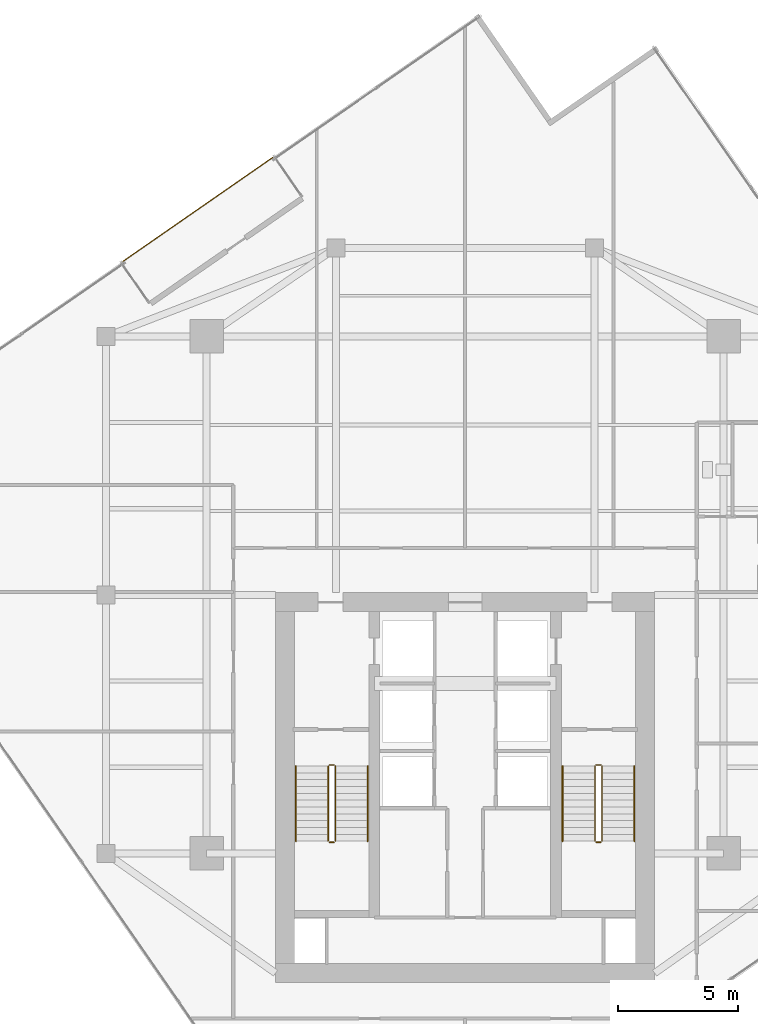
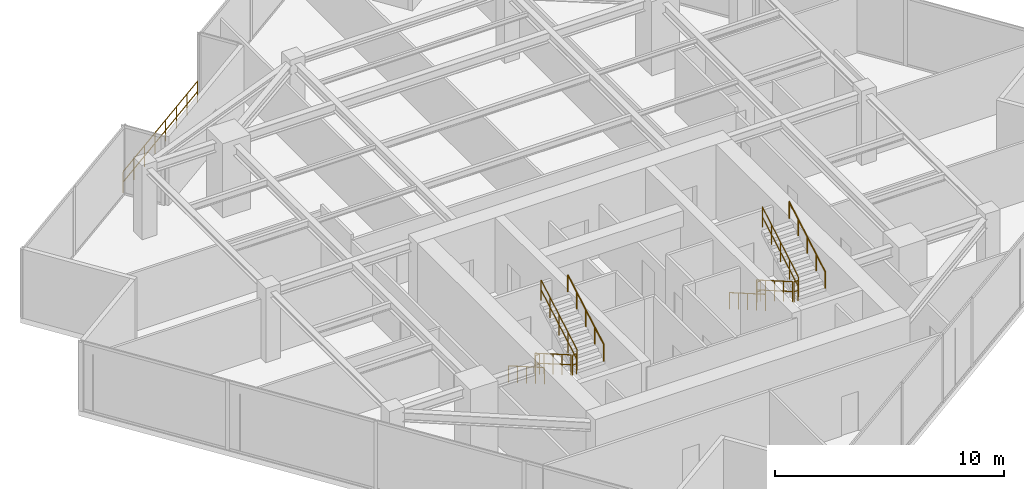
# One storey, part 20 of 21: 13 railings.
"""IFC4 building model written with IfcOpenShell, lengths in metres."""

import ifcopenshell
import ifcopenshell.guid

model = None  # the IFC model being written
_history = None  # IfcOwnerHistory: only IFC2X3 demands one
_inside = {}  # id of a spatial element -> (the spatial element, [elements in it])
_under = {}  # id of a project, library or spatial element -> (it, [spatial elements below it])
_declared = {}  # id of a project -> (the project, [libraries it declares])
_typed = {}  # id of a type object -> (the type object, [elements of that type])
_made_of = {}  # id of a material, layer set ... -> (it, [elements and type objects made of it])


def new_model(schema):
    """Start an empty IFC model of exactly this schema.

    Asked for "IFC4X3", IfcOpenShell would pick the latest addendum, in which some entities
    have other attributes; the version numbers below select the first issue.
    IFC2X3 requires an IfcOwnerHistory on every rooted entity: one is made here for all.
    """
    global model, _history
    if schema == "IFC4X3":
        model = ifcopenshell.file(schema_version=(4, 3, 0, 0))
    else:
        model = ifcopenshell.file(schema=schema)
    _inside.clear()
    _under.clear()
    _declared.clear()
    _typed.clear()
    _made_of.clear()
    _history = None
    if model.schema == "IFC2X3":
        org = make("IfcOrganization", Name="unknown")
        user = make(
            "IfcPersonAndOrganization",
            ThePerson=make("IfcPerson", FamilyName="unknown"),
            TheOrganization=org,
        )
        app = make(
            "IfcApplication",
            ApplicationDeveloper=org,
            Version="unknown",
            ApplicationFullName="unknown",
            ApplicationIdentifier="unknown",
        )
        _history = make(
            "IfcOwnerHistory",
            OwningUser=user,
            OwningApplication=app,
            ChangeAction="ADDED",
            CreationDate=0,
        )
    return model


def make(cls, **values):
    """One entity of the class cls with the attributes given. An attribute that is None is left unset."""
    return model.create_entity(
        cls, **{name: value for name, value in values.items() if value is not None}
    )


def rooted(cls, **values):
    """An entity with a GlobalId (a new one), such as an element, a storey or a relation."""
    return make(cls, GlobalId=ifcopenshell.guid.new(), OwnerHistory=_history, **values)


def si_unit(unit_type, name, prefix=None):
    """IfcSIUnit, for example si_unit("LENGTHUNIT", "METRE", prefix="MILLI")."""
    return make("IfcSIUnit", UnitType=unit_type, Prefix=prefix, Name=name)


def assignment(units):
    """IfcUnitAssignment: the units of a project."""
    return None if units is None else make("IfcUnitAssignment", Units=units)


def point(xyz):
    """IfcCartesianPoint."""
    return None if xyz is None else make("IfcCartesianPoint", Coordinates=xyz)


def direction(xyz):
    """IfcDirection."""
    return None if xyz is None else make("IfcDirection", DirectionRatios=xyz)


def frame(location, z_axis=None, x_axis=None):
    """IfcAxis2Placement3D, a coordinate frame: its origin and axes. An axis left out is left unset."""
    return make(
        "IfcAxis2Placement3D",
        Location=point(location),
        Axis=direction(z_axis),
        RefDirection=direction(x_axis),
    )


def frame_2d(location, x_axis=None):
    """IfcAxis2Placement2D, a coordinate frame in the plane: its origin and x axis."""
    return make(
        "IfcAxis2Placement2D", Location=point(location), RefDirection=direction(x_axis)
    )


def origin():
    """The frame at (0, 0, 0) with its axes left unset."""
    return frame((0.0, 0.0, 0.0))


def origin_2d():
    """The frame at (0, 0) in the plane with its x axis left unset."""
    return frame_2d((0.0, 0.0))


def place(relative_to, where):
    """IfcLocalPlacement: puts the frame where relative to a parent placement (None: the world)."""
    return make(
        "IfcLocalPlacement", PlacementRelTo=relative_to, RelativePlacement=where
    )


def context(
    kind, dimensions, precision=None, world=None, true_north=None, identifier=None
):
    """IfcGeometricRepresentationContext, for example the 3D "Model" context."""
    return make(
        "IfcGeometricRepresentationContext",
        ContextIdentifier=identifier,
        ContextType=kind,
        CoordinateSpaceDimension=dimensions,
        Precision=precision,
        WorldCoordinateSystem=world,
        TrueNorth=true_north,
    )


def subcontext(parent, identifier, kind, view, scale=None):
    """IfcGeometricRepresentationSubContext, for example "Body" below "Model"."""
    return make(
        "IfcGeometricRepresentationSubContext",
        ContextIdentifier=identifier,
        ContextType=kind,
        ParentContext=parent,
        TargetScale=scale,
        TargetView=view,
    )


def project(units=None, contexts=None):
    """IfcProject with its units and contexts."""
    return rooted(
        "IfcProject",
        Name="project",
        RepresentationContexts=contexts,
        UnitsInContext=assignment(units),
    )


def spatial(cls, under=None, at=None, **own):
    """A site, building, storey or space (cls), placed at a placement, below another one or the project."""
    s = rooted(cls, ObjectPlacement=at, **own)
    if under is not None:
        _under.setdefault(under.id(), (under, []))[1].append(s)
    return s


def profile(cls, at=None, kind="AREA", **sizes):
    """A parametric profile (cls). Its sizes go by their IFC names, for example OverallWidth=200.0."""
    return make(cls, ProfileType=kind, Position=at, **sizes)


def circle(**sizes):
    """IfcCircleProfileDef."""
    return profile("IfcCircleProfileDef", **sizes)


def extrude(swept, where, along, depth):
    """IfcExtrudedAreaSolid: the profile swept, set in the frame where, extruded along a direction by depth."""
    return make(
        "IfcExtrudedAreaSolid",
        SweptArea=swept,
        Position=where,
        ExtrudedDirection=direction(along),
        Depth=depth,
    )


def shape(context_of_items, identifier, shape_type, items):
    """IfcShapeRepresentation: the items that make up one representation, for example the "Body"."""
    return make(
        "IfcShapeRepresentation",
        ContextOfItems=context_of_items,
        RepresentationIdentifier=identifier,
        RepresentationType=shape_type,
        Items=items,
    )


def material(Name=None, Category=None):
    """IfcMaterial."""
    return make("IfcMaterial", Name=Name, Category=Category)


def layer(
    of_material, thickness, ventilated=None, Name=None, Category=None, Priority=None
):
    """IfcMaterialLayer: one layer of a wall or slab, of a material (None: an air gap)."""
    return make(
        "IfcMaterialLayer",
        Material=of_material,
        LayerThickness=thickness,
        IsVentilated=ventilated,
        Name=Name,
        Category=Category,
        Priority=Priority,
    )


def layer_set(layers, Name=None):
    """IfcMaterialLayerSet."""
    return make("IfcMaterialLayerSet", MaterialLayers=layers, LayerSetName=Name)


def made_of(thing, what):
    """Note that an element or type object is made of a material, layer set ...; save() writes the relation."""
    if what is not None:
        _made_of.setdefault(what.id(), (what, []))[1].append(thing)
    return thing


def type_object(cls, material=None, **own):
    """A type object (cls), such as IfcWallType, which elements share."""
    return made_of(rooted(cls, **own), material)


def element(
    cls,
    number,
    at=None,
    inside=None,
    cuts=None,
    type_object=None,
    material=None,
    context=None,
    identifier="Body",
    shape_type=None,
    held_by="IfcProductDefinitionShape",
    body=None,
    shapes=None,
    **own,
):
    """One element of the class cls, such as IfcWall. Its Tag is "e" and its number.

    at: its placement. inside: the storey or other place that contains it. cuts: it is an
    opening in that element (IfcRelVoidsElement). A single representation is given by context,
    identifier, shape_type and body (its items); several are given by shapes. held_by: the class
    of the entity that holds the representations. save() writes the other relations.
    """
    e = rooted(cls, Tag="e%d" % number, ObjectPlacement=at, **own)
    if body is not None:
        shapes = [shape(context, identifier, shape_type, body)]
    if shapes is not None:
        e.Representation = make(held_by, Representations=shapes)
    if inside is not None:
        _inside.setdefault(inside.id(), (inside, []))[1].append(e)
    if cuts is not None:
        rooted(
            "IfcRelVoidsElement", RelatingBuildingElement=cuts, RelatedOpeningElement=e
        )
    if type_object is not None:
        _typed.setdefault(type_object.id(), (type_object, []))[1].append(e)
    return made_of(e, material)


def aggregate(whole, parts):
    """IfcRelAggregates: a whole, such as a stair, and the parts it consists of."""
    return rooted("IfcRelAggregates", RelatingObject=whole, RelatedObjects=parts)


def save(model, path):
    """Write the relations noted so far, then the file.

    IfcRelAggregates (storeys below a building ...), IfcRelContainedInSpatialStructure (elements
    in a storey), IfcRelDefinesByType, IfcRelAssociatesMaterial and IfcRelDeclares: one each for
    every whole, place, type object, material and project.
    """
    for whole, parts in _under.values():
        aggregate(whole, parts)
    for where, things in _inside.values():
        rooted(
            "IfcRelContainedInSpatialStructure",
            RelatedElements=things,
            RelatingStructure=where,
        )
    for kind, things in _typed.values():
        rooted("IfcRelDefinesByType", RelatedObjects=things, RelatingType=kind)
    for what, things in _made_of.values():
        rooted("IfcRelAssociatesMaterial", RelatedObjects=things, RelatingMaterial=what)
    for by, libraries in _declared.values():
        rooted("IfcRelDeclares", RelatingContext=by, RelatedDefinitions=libraries)
    model.write(path)


model = new_model("IFC4")

# Units and contexts
model_context = context("Model", 3, precision=1e-05, world=origin(), true_north=direction((0.0, 1.0)))
body_context = subcontext(model_context, "Body", "Model", "MODEL_VIEW")
ifc_project = project(units=[si_unit("LENGTHUNIT", "METRE"), si_unit("AREAUNIT", "SQUARE_METRE"), si_unit("VOLUMEUNIT", "CUBIC_METRE"), si_unit("PLANEANGLEUNIT", "RADIAN"), si_unit("MASSUNIT", "GRAM", prefix="KILO")], contexts=[model_context])

# Site, building, storey
site_placement = place(None, origin())
site = spatial("IfcSite", under=ifc_project, at=site_placement, CompositionType="ELEMENT")
building_placement = place(site_placement, origin())
building = spatial("IfcBuilding", under=site, at=building_placement, Name="Krantzveldt Concourse Tower", CompositionType="ELEMENT")
storey_placement = place(building_placement, frame((0.0, 0.0, 275.300048828125)))
storey = spatial("IfcBuildingStorey", under=building, at=storey_placement, Name="L67", CompositionType="ELEMENT", Elevation=275.300048828125)

# Railings
ifc_material = material(Name="Stainless steel 316L", Category="steel")
ifc_layer_1 = layer(ifc_material, 0.080078125, Name="Stainless steel 316L", Category="steel")
ifc_layer_set_1 = layer_set([ifc_layer_1], Name="Stainless steel 316L (RL-BALUSTRADE-1150)")
railing_type_1 = type_object("IfcRailingType", Name="RL-BALUSTRADE-1150", PredefinedType="BALUSTRADE", material=ifc_layer_set_1)
railing_1_placement = place(storey_placement, frame((27.950439453125, 44.97021484375, 0.0)))
element("IfcRailing", 1, at=railing_1_placement, inside=storey, type_object=railing_type_1, Name="GD-L67-CTER-01", PredefinedType="BALUSTRADE", context=body_context, shape_type="SweptSolid", body=[
    extrude(circle(Radius=0.02392578125, at=origin_2d()), frame((0.0, 0.0, 1.1259765625), z_axis=(-0.821648291551, -0.569994811372, 0.0), x_axis=(0.569994811372, -0.821648291551, 0.0)), (0.0, 0.0, 1.0), 7.60009765625),
    extrude(circle(Radius=0.02392578125, at=origin_2d()), frame((0.0, 0.0, 0.574951171875), z_axis=(-0.821648291551, -0.569994811372, 0.0), x_axis=(0.569994811372, -0.821648291551, 0.0)), (0.0, 0.0, 1.0), 7.60009765625),
    extrude(circle(Radius=0.02099609375, at=origin_2d()), origin(), (0.0, 0.0, 1.0), 1.101806640625),
    extrude(circle(Radius=0.02099609375, at=origin_2d()), frame((-0.89208984375, -0.618896484375, 0.0)), (0.0, 0.0, 1.0), 1.101806640625),
    extrude(circle(Radius=0.02099609375, at=origin_2d()), frame((-1.7841796875, -1.23779296875, 0.0)), (0.0, 0.0, 1.0), 1.101806640625),
    extrude(circle(Radius=0.02099609375, at=origin_2d()), frame((-2.67626953125, -1.856689453125, 0.0)), (0.0, 0.0, 1.0), 1.101806640625),
    extrude(circle(Radius=0.02099609375, at=origin_2d()), frame((-3.568359375, -2.475341796875, 0.0)), (0.0, 0.0, 1.0), 1.101806640625),
    extrude(circle(Radius=0.02099609375, at=origin_2d()), frame((-4.46044921875, -3.09423828125, 0.0)), (0.0, 0.0, 1.0), 1.101806640625),
    extrude(circle(Radius=0.02099609375, at=origin_2d()), frame((-5.3525390625, -3.713134765625, 0.0)), (0.0, 0.0, 1.0), 1.101806640625),
    extrude(circle(Radius=0.02099609375, at=origin_2d()), frame((-6.24462890625, -4.33203125, 0.0)), (0.0, 0.0, 1.0), 1.101806640625),
])
ifc_layer_2 = layer(ifc_material, 0.06005859375, Name="Stainless steel 316L", Category="steel")
ifc_layer_set_2 = layer_set([ifc_layer_2], Name="Stainless steel 316L (RL-GUARD-1120)")
railing_type_2 = type_object("IfcRailingType", Name="RL-GUARD-1120", PredefinedType="GUARDRAIL", material=ifc_layer_set_2)
railing_2_placement = place(storey_placement, frame((30.280029296875, 19.550048828125, 0.16455078125)))
element("IfcRailing", 2, at=railing_2_placement, inside=storey, type_object=railing_type_2, Name="L67 ST-1 stair guard 1", PredefinedType="GUARDRAIL", context=body_context, shape_type="SweptSolid", body=[
    extrude(circle(Radius=0.02392578125, at=origin_2d()), frame((0.0, 0.0, 1.076171875), z_axis=(0.0, -0.865989039225, 0.500062979975), x_axis=(1.0, 0.0, 0.0)), (0.0, 0.0, 1.0), 3.6201171875),
    extrude(circle(Radius=0.02392578125, at=origin_2d()), frame((0.0, 0.0, 0.550048828125), z_axis=(0.0, -0.865989039225, 0.500062979975), x_axis=(1.0, 0.0, 0.0)), (0.0, 0.0, 1.0), 3.6201171875),
    extrude(circle(Radius=0.02099609375, at=origin_2d()), origin(), (0.0, 0.0, 1.0), 1.052001953125),
    extrude(circle(Radius=0.02099609375, at=origin_2d()), frame((0.0, -0.78369140625, 0.45263671875)), (0.0, 0.0, 1.0), 1.052001953125),
    extrude(circle(Radius=0.02099609375, at=origin_2d()), frame((0.0, -1.5673828125, 0.9052734375)), (0.0, 0.0, 1.0), 1.052001953125),
    extrude(circle(Radius=0.02099609375, at=origin_2d()), frame((0.0, -2.351318359375, 1.357666015625)), (0.0, 0.0, 1.0), 1.052001953125),
    extrude(circle(Radius=0.02099609375, at=origin_2d()), frame((0.0, -3.135009765625, 1.810302734375)), (0.0, 0.0, 1.0), 1.052001953125),
])
railing_3_placement = place(storey_placement, frame((30.330078125, 16.364990234375, 1.974853515625)))
element("IfcRailing", 3, at=railing_3_placement, inside=storey, type_object=railing_type_2, Name="L67 ST-1 stair guard 2", PredefinedType="GUARDRAIL", context=body_context, shape_type="SweptSolid", body=[
    extrude(circle(Radius=0.02392578125, at=origin_2d()), frame((0.0, 0.0, 1.076171875), z_axis=(1.0, 0.0, 0.0), x_axis=(0.0, 1.0, 0.0)), (0.0, 0.0, 1.0), 0.199951171875),
    extrude(circle(Radius=0.02392578125, at=origin_2d()), frame((0.0, 0.0, 0.550048828125), z_axis=(1.0, 0.0, 0.0), x_axis=(0.0, 1.0, 0.0)), (0.0, 0.0, 1.0), 0.199951171875),
    extrude(circle(Radius=0.02099609375, at=origin_2d()), origin(), (0.0, 0.0, 1.0), 1.052001953125),
    extrude(circle(Radius=0.02099609375, at=origin_2d()), frame((0.199951171875, 0.0, 0.0)), (0.0, 0.0, 1.0), 1.052001953125),
])
railing_4_placement = place(storey_placement, frame((30.580078125, 16.4150390625, 2.1396484375)))
element("IfcRailing", 4, at=railing_4_placement, inside=storey, type_object=railing_type_2, Name="L67 ST-1 stair guard 3", PredefinedType="GUARDRAIL", context=body_context, shape_type="SweptSolid", body=[
    extrude(circle(Radius=0.02392578125, at=origin_2d()), frame((0.0, 0.0, 1.076171875), z_axis=(0.0, 0.865989039225, 0.500062979975), x_axis=(-1.0, 0.0, 0.0)), (0.0, 0.0, 1.0), 3.6201171875),
    extrude(circle(Radius=0.02392578125, at=origin_2d()), frame((0.0, 0.0, 0.550048828125), z_axis=(0.0, 0.865989039225, 0.500062979975), x_axis=(-1.0, 0.0, 0.0)), (0.0, 0.0, 1.0), 3.6201171875),
    extrude(circle(Radius=0.02099609375, at=origin_2d()), origin(), (0.0, 0.0, 1.0), 1.052001953125),
    extrude(circle(Radius=0.02099609375, at=origin_2d()), frame((0.0, 0.78369140625, 0.45263671875)), (0.0, 0.0, 1.0), 1.052001953125),
    extrude(circle(Radius=0.02099609375, at=origin_2d()), frame((0.0, 1.5673828125, 0.9052734375)), (0.0, 0.0, 1.0), 1.052001953125),
    extrude(circle(Radius=0.02099609375, at=origin_2d()), frame((0.0, 2.351318359375, 1.357666015625)), (0.0, 0.0, 1.0), 1.052001953125),
    extrude(circle(Radius=0.02099609375, at=origin_2d()), frame((0.0, 3.135009765625, 1.810302734375)), (0.0, 0.0, 1.0), 1.052001953125),
])
railing_5_placement = place(storey_placement, frame((30.330078125, 19.60009765625, 0.0)))
element("IfcRailing", 5, at=railing_5_placement, inside=storey, type_object=railing_type_2, Name="L67 ST-1 stair guard 4", PredefinedType="GUARDRAIL", context=body_context, shape_type="SweptSolid", body=[
    extrude(circle(Radius=0.02392578125, at=origin_2d()), frame((0.0, 0.0, 1.076171875), z_axis=(1.0, 0.0, 0.0), x_axis=(0.0, 1.0, 0.0)), (0.0, 0.0, 1.0), 0.199951171875),
    extrude(circle(Radius=0.02392578125, at=origin_2d()), frame((0.0, 0.0, 0.550048828125), z_axis=(1.0, 0.0, 0.0), x_axis=(0.0, 1.0, 0.0)), (0.0, 0.0, 1.0), 0.199951171875),
    extrude(circle(Radius=0.02099609375, at=origin_2d()), origin(), (0.0, 0.0, 1.0), 1.052001953125),
    extrude(circle(Radius=0.02099609375, at=origin_2d()), frame((0.199951171875, 0.0, 0.0)), (0.0, 0.0, 1.0), 1.052001953125),
])
railing_6_placement = place(storey_placement, frame((41.419921875, 19.550048828125, 0.16455078125)))
element("IfcRailing", 6, at=railing_6_placement, inside=storey, type_object=railing_type_2, Name="L67 ST-2 stair guard 1", PredefinedType="GUARDRAIL", context=body_context, shape_type="SweptSolid", body=[
    extrude(circle(Radius=0.02392578125, at=origin_2d()), frame((0.0, 0.0, 1.076171875), z_axis=(0.0, -0.865989039225, 0.500062979975), x_axis=(1.0, 0.0, 0.0)), (0.0, 0.0, 1.0), 3.6201171875),
    extrude(circle(Radius=0.02392578125, at=origin_2d()), frame((0.0, 0.0, 0.550048828125), z_axis=(0.0, -0.865989039225, 0.500062979975), x_axis=(1.0, 0.0, 0.0)), (0.0, 0.0, 1.0), 3.6201171875),
    extrude(circle(Radius=0.02099609375, at=origin_2d()), origin(), (0.0, 0.0, 1.0), 1.052001953125),
    extrude(circle(Radius=0.02099609375, at=origin_2d()), frame((0.0, -0.78369140625, 0.45263671875)), (0.0, 0.0, 1.0), 1.052001953125),
    extrude(circle(Radius=0.02099609375, at=origin_2d()), frame((0.0, -1.5673828125, 0.9052734375)), (0.0, 0.0, 1.0), 1.052001953125),
    extrude(circle(Radius=0.02099609375, at=origin_2d()), frame((0.0, -2.351318359375, 1.357666015625)), (0.0, 0.0, 1.0), 1.052001953125),
    extrude(circle(Radius=0.02099609375, at=origin_2d()), frame((0.0, -3.135009765625, 1.810302734375)), (0.0, 0.0, 1.0), 1.052001953125),
])
railing_7_placement = place(storey_placement, frame((41.469970703125, 16.364990234375, 1.974853515625)))
element("IfcRailing", 7, at=railing_7_placement, inside=storey, type_object=railing_type_2, Name="L67 ST-2 stair guard 2", PredefinedType="GUARDRAIL", context=body_context, shape_type="SweptSolid", body=[
    extrude(circle(Radius=0.02392578125, at=origin_2d()), frame((0.0, 0.0, 1.076171875), z_axis=(1.0, 0.0, 0.0), x_axis=(0.0, 1.0, 0.0)), (0.0, 0.0, 1.0), 0.199951171875),
    extrude(circle(Radius=0.02392578125, at=origin_2d()), frame((0.0, 0.0, 0.550048828125), z_axis=(1.0, 0.0, 0.0), x_axis=(0.0, 1.0, 0.0)), (0.0, 0.0, 1.0), 0.199951171875),
    extrude(circle(Radius=0.02099609375, at=origin_2d()), origin(), (0.0, 0.0, 1.0), 1.052001953125),
    extrude(circle(Radius=0.02099609375, at=origin_2d()), frame((0.199951171875, 0.0, 0.0)), (0.0, 0.0, 1.0), 1.052001953125),
])
railing_8_placement = place(storey_placement, frame((41.719970703125, 16.4150390625, 2.1396484375)))
element("IfcRailing", 8, at=railing_8_placement, inside=storey, type_object=railing_type_2, Name="L67 ST-2 stair guard 3", PredefinedType="GUARDRAIL", context=body_context, shape_type="SweptSolid", body=[
    extrude(circle(Radius=0.02392578125, at=origin_2d()), frame((0.0, 0.0, 1.076171875), z_axis=(0.0, 0.865989039225, 0.500062979975), x_axis=(-1.0, 0.0, 0.0)), (0.0, 0.0, 1.0), 3.6201171875),
    extrude(circle(Radius=0.02392578125, at=origin_2d()), frame((0.0, 0.0, 0.550048828125), z_axis=(0.0, 0.865989039225, 0.500062979975), x_axis=(-1.0, 0.0, 0.0)), (0.0, 0.0, 1.0), 3.6201171875),
    extrude(circle(Radius=0.02099609375, at=origin_2d()), origin(), (0.0, 0.0, 1.0), 1.052001953125),
    extrude(circle(Radius=0.02099609375, at=origin_2d()), frame((0.0, 0.78369140625, 0.45263671875)), (0.0, 0.0, 1.0), 1.052001953125),
    extrude(circle(Radius=0.02099609375, at=origin_2d()), frame((0.0, 1.5673828125, 0.9052734375)), (0.0, 0.0, 1.0), 1.052001953125),
    extrude(circle(Radius=0.02099609375, at=origin_2d()), frame((0.0, 2.351318359375, 1.357666015625)), (0.0, 0.0, 1.0), 1.052001953125),
    extrude(circle(Radius=0.02099609375, at=origin_2d()), frame((0.0, 3.135009765625, 1.810302734375)), (0.0, 0.0, 1.0), 1.052001953125),
])
railing_9_placement = place(storey_placement, frame((41.469970703125, 19.60009765625, 0.0)))
element("IfcRailing", 9, at=railing_9_placement, inside=storey, type_object=railing_type_2, Name="L67 ST-2 stair guard 4", PredefinedType="GUARDRAIL", context=body_context, shape_type="SweptSolid", body=[
    extrude(circle(Radius=0.02392578125, at=origin_2d()), frame((0.0, 0.0, 1.076171875), z_axis=(1.0, 0.0, 0.0), x_axis=(0.0, 1.0, 0.0)), (0.0, 0.0, 1.0), 0.199951171875),
    extrude(circle(Radius=0.02392578125, at=origin_2d()), frame((0.0, 0.0, 0.550048828125), z_axis=(1.0, 0.0, 0.0), x_axis=(0.0, 1.0, 0.0)), (0.0, 0.0, 1.0), 0.199951171875),
    extrude(circle(Radius=0.02099609375, at=origin_2d()), origin(), (0.0, 0.0, 1.0), 1.052001953125),
    extrude(circle(Radius=0.02099609375, at=origin_2d()), frame((0.199951171875, 0.0, 0.0)), (0.0, 0.0, 1.0), 1.052001953125),
])
ifc_layer_3 = layer(ifc_material, 0.050048828125, Name="Stainless steel 316L", Category="steel")
ifc_layer_set_3 = layer_set([ifc_layer_3], Name="Stainless steel 316L (RL-HANDRAIL-920)")
railing_type_3 = type_object("IfcRailingType", Name="RL-HANDRAIL-920", PredefinedType="HANDRAIL", material=ifc_layer_set_3)
railing_10_placement = place(storey_placement, frame((28.929931640625, 19.550048828125, 0.16455078125)))
element("IfcRailing", 10, at=railing_10_placement, inside=storey, type_object=railing_type_3, Name="L67 ST-1 stair handrail 1", PredefinedType="HANDRAIL", context=body_context, shape_type="SweptSolid", body=[
    extrude(circle(Radius=0.02392578125, at=origin_2d()), frame((0.0, 0.0, 0.8759765625), z_axis=(0.0, -0.865989039225, 0.500062979975), x_axis=(1.0, 0.0, 0.0)), (0.0, 0.0, 1.0), 3.6201171875),
    extrude(circle(Radius=0.02099609375, at=origin_2d()), origin(), (0.0, 0.0, 1.0), 0.851806640625),
    extrude(circle(Radius=0.02099609375, at=origin_2d()), frame((0.0, -0.78369140625, 0.45263671875)), (0.0, 0.0, 1.0), 0.851806640625),
    extrude(circle(Radius=0.02099609375, at=origin_2d()), frame((0.0, -1.5673828125, 0.9052734375)), (0.0, 0.0, 1.0), 0.851806640625),
    extrude(circle(Radius=0.02099609375, at=origin_2d()), frame((0.0, -2.351318359375, 1.357666015625)), (0.0, 0.0, 1.0), 0.851806640625),
    extrude(circle(Radius=0.02099609375, at=origin_2d()), frame((0.0, -3.135009765625, 1.810302734375)), (0.0, 0.0, 1.0), 0.851806640625),
])
railing_11_placement = place(storey_placement, frame((31.929931640625, 16.4150390625, 2.1396484375)))
element("IfcRailing", 11, at=railing_11_placement, inside=storey, type_object=railing_type_3, Name="L67 ST-1 stair handrail 2", PredefinedType="HANDRAIL", context=body_context, shape_type="SweptSolid", body=[
    extrude(circle(Radius=0.02392578125, at=origin_2d()), frame((0.0, 0.0, 0.8759765625), z_axis=(0.0, 0.865989039225, 0.500062979975), x_axis=(-1.0, 0.0, 0.0)), (0.0, 0.0, 1.0), 3.6201171875),
    extrude(circle(Radius=0.02099609375, at=origin_2d()), origin(), (0.0, 0.0, 1.0), 0.851806640625),
    extrude(circle(Radius=0.02099609375, at=origin_2d()), frame((0.0, 0.78369140625, 0.45263671875)), (0.0, 0.0, 1.0), 0.851806640625),
    extrude(circle(Radius=0.02099609375, at=origin_2d()), frame((0.0, 1.5673828125, 0.9052734375)), (0.0, 0.0, 1.0), 0.851806640625),
    extrude(circle(Radius=0.02099609375, at=origin_2d()), frame((0.0, 2.351318359375, 1.357666015625)), (0.0, 0.0, 1.0), 0.851806640625),
    extrude(circle(Radius=0.02099609375, at=origin_2d()), frame((0.0, 3.135009765625, 1.810302734375)), (0.0, 0.0, 1.0), 0.851806640625),
])
railing_12_placement = place(storey_placement, frame((40.070068359375, 19.550048828125, 0.16455078125)))
element("IfcRailing", 12, at=railing_12_placement, inside=storey, type_object=railing_type_3, Name="L67 ST-2 stair handrail 1", PredefinedType="HANDRAIL", context=body_context, shape_type="SweptSolid", body=[
    extrude(circle(Radius=0.02392578125, at=origin_2d()), frame((0.0, 0.0, 0.8759765625), z_axis=(0.0, -0.865989039225, 0.500062979975), x_axis=(1.0, 0.0, 0.0)), (0.0, 0.0, 1.0), 3.6201171875),
    extrude(circle(Radius=0.02099609375, at=origin_2d()), origin(), (0.0, 0.0, 1.0), 0.851806640625),
    extrude(circle(Radius=0.02099609375, at=origin_2d()), frame((0.0, -0.78369140625, 0.45263671875)), (0.0, 0.0, 1.0), 0.851806640625),
    extrude(circle(Radius=0.02099609375, at=origin_2d()), frame((0.0, -1.5673828125, 0.9052734375)), (0.0, 0.0, 1.0), 0.851806640625),
    extrude(circle(Radius=0.02099609375, at=origin_2d()), frame((0.0, -2.351318359375, 1.357666015625)), (0.0, 0.0, 1.0), 0.851806640625),
    extrude(circle(Radius=0.02099609375, at=origin_2d()), frame((0.0, -3.135009765625, 1.810302734375)), (0.0, 0.0, 1.0), 0.851806640625),
])
railing_13_placement = place(storey_placement, frame((43.070068359375, 16.4150390625, 2.1396484375)))
element("IfcRailing", 13, at=railing_13_placement, inside=storey, type_object=railing_type_3, Name="L67 ST-2 stair handrail 2", PredefinedType="HANDRAIL", context=body_context, shape_type="SweptSolid", body=[
    extrude(circle(Radius=0.02392578125, at=origin_2d()), frame((0.0, 0.0, 0.8759765625), z_axis=(0.0, 0.865989039225, 0.500062979975), x_axis=(-1.0, 0.0, 0.0)), (0.0, 0.0, 1.0), 3.6201171875),
    extrude(circle(Radius=0.02099609375, at=origin_2d()), origin(), (0.0, 0.0, 1.0), 0.851806640625),
    extrude(circle(Radius=0.02099609375, at=origin_2d()), frame((0.0, 0.78369140625, 0.45263671875)), (0.0, 0.0, 1.0), 0.851806640625),
    extrude(circle(Radius=0.02099609375, at=origin_2d()), frame((0.0, 1.5673828125, 0.9052734375)), (0.0, 0.0, 1.0), 0.851806640625),
    extrude(circle(Radius=0.02099609375, at=origin_2d()), frame((0.0, 2.351318359375, 1.357666015625)), (0.0, 0.0, 1.0), 0.851806640625),
    extrude(circle(Radius=0.02099609375, at=origin_2d()), frame((0.0, 3.135009765625, 1.810302734375)), (0.0, 0.0, 1.0), 0.851806640625),
])

save(model, "model.ifc")
